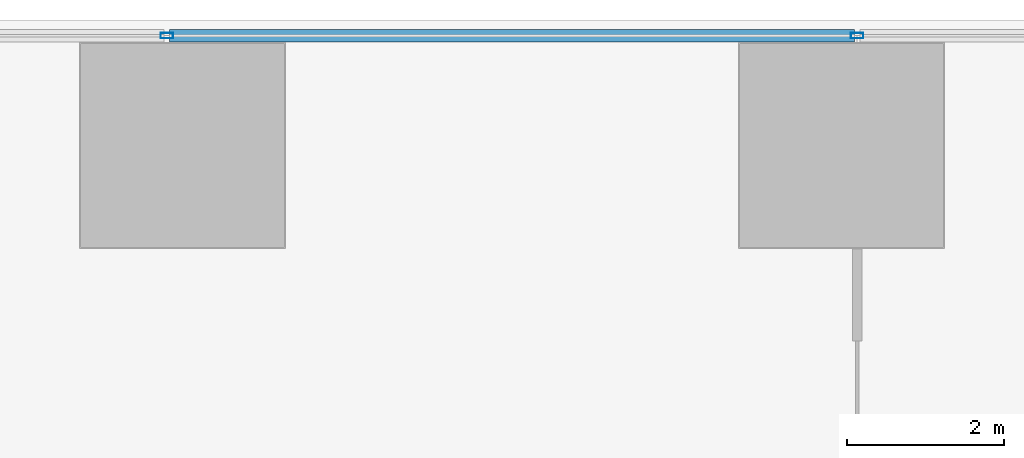
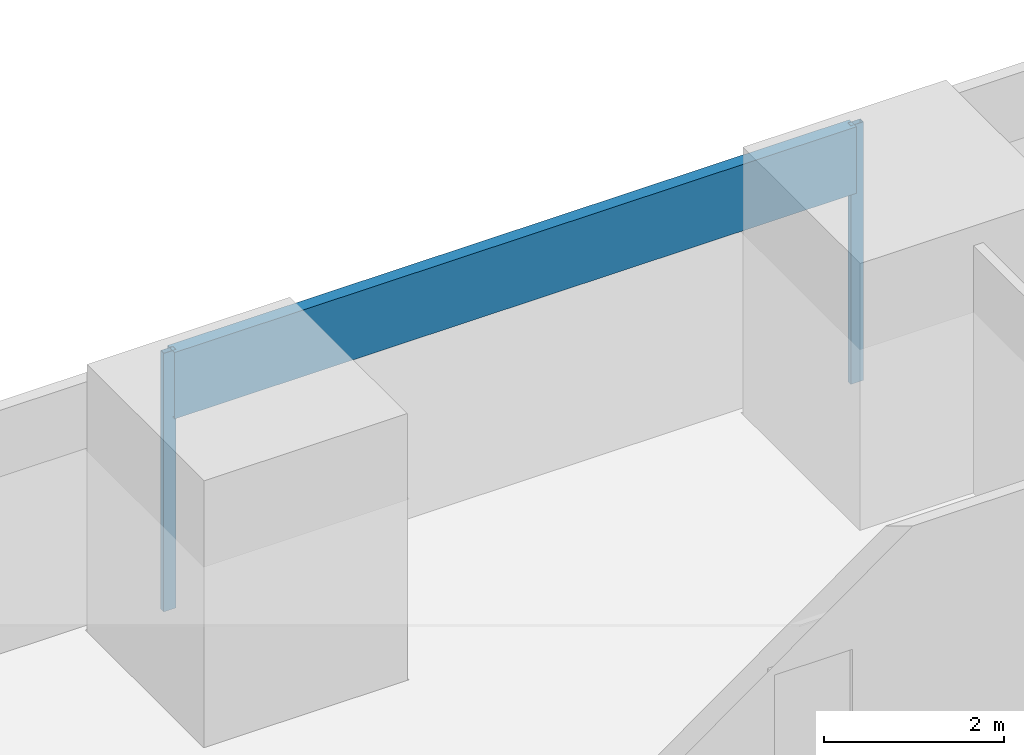
# One storey, part 11 of 35: 3 members, 1 element without a shape of its own.
"""IFC4 building model written with IfcOpenShell, lengths in metres."""

from ifc_helpers import new_model, si_unit, direction, frame, origin, origin_2d, place, context, subcontext, project, spatial, hollow_rectangle, extrude, material, material_profile, profile_set, type_object, element, aggregate, save


model = new_model("IFC4")

# Units and contexts
model_context = context("Model", 3, precision=1e-05, world=origin(), true_north=direction((0.0, 1.0)))
body_context = subcontext(model_context, "Body", "Model", "MODEL_VIEW")
ifc_project = project(units=[si_unit("LENGTHUNIT", "METRE"), si_unit("AREAUNIT", "SQUARE_METRE"), si_unit("VOLUMEUNIT", "CUBIC_METRE"), si_unit("PLANEANGLEUNIT", "RADIAN"), si_unit("MASSUNIT", "GRAM", prefix="KILO")], contexts=[model_context])

# Site, building, storey
site_placement = place(None, origin())
site = spatial("IfcSite", under=ifc_project, at=site_placement, CompositionType="ELEMENT")
building_placement = place(site_placement, origin())
building = spatial("IfcBuilding", under=site, at=building_placement, Name="Rekha Terrace Tower", CompositionType="ELEMENT")
storey_placement = place(building_placement, frame((0.0, 0.0, 25.39990234375)))
storey = spatial("IfcBuildingStorey", under=building, at=storey_placement, Name="L05", CompositionType="ELEMENT", Elevation=25.39990234375)

# Curtain wall, members
ifc_material_1 = material(Name="Aluminium framing", Category="aluminium")
curtain_wall_type = type_object("IfcCurtainWallType", Name="CW3 north unitised glazing", PredefinedType="USERDEFINED", material=ifc_material_1)
curtain_wall_placement = place(storey_placement, origin())
curtain_wall = element("IfcCurtainWall", 1, at=curtain_wall_placement, inside=storey, type_object=curtain_wall_type, Name="CW3 unitised curtain wall", ObjectType="UNITISED CURTAIN WALL", PredefinedType="USERDEFINED")
ifc_material_2 = material(Name="Aluminium mullion section", Category="aluminium")
ifc_material_profile_1 = material_profile(ifc_material_2, hollow_rectangle(XDim=0.070068359375, YDim=0.159912109375, WallThickness=0.00390625, at=origin_2d()), Name="AL RHS 70x160")
ifc_profile_set_1 = profile_set([ifc_material_profile_1], Name="Aluminium mullion section")
member_type_1 = type_object("IfcMemberType", Name="CW3 mullion RHS 70 x 160", PredefinedType="MULLION", material=ifc_profile_set_1)
member_1_placement = place(storey_placement, frame((42.199951171875, 60.199951171875, 0.0), z_axis=(0.0, 0.0, 1.0), x_axis=(0.0, -1.0, 0.0)))
member_1 = element("IfcMember", 2, at=member_1_placement, type_object=member_type_1, Name="CW3 mullion 4", PredefinedType="MULLION", context=body_context, shape_type="SweptSolid", body=[
    extrude(hollow_rectangle(XDim=0.070068359375, YDim=0.159912109375, WallThickness=0.00390625, at=origin_2d()), origin(), (0.0, 0.0, 1.0), 3.5),
])
member_2_placement = place(storey_placement, frame((33.39990234375, 60.199951171875, 0.0), z_axis=(0.0, 0.0, 1.0), x_axis=(0.0, -1.0, 0.0)))
member_2 = element("IfcMember", 3, at=member_2_placement, type_object=member_type_1, Name="CW3 mullion 5", PredefinedType="MULLION", context=body_context, shape_type="SweptSolid", body=[
    extrude(hollow_rectangle(XDim=0.070068359375, YDim=0.159912109375, WallThickness=0.00390625, at=origin_2d()), origin(), (0.0, 0.0, 1.0), 3.5),
])
ifc_material_3 = material(Name="Insulated aluminium spandrel box", Category="aluminium")
ifc_material_profile_2 = material_profile(ifc_material_3, hollow_rectangle(XDim=0.159912109375, YDim=0.89990234375, WallThickness=0.0029296875, at=origin_2d()), Name="AL SPANDREL BOX 160x900")
ifc_profile_set_2 = profile_set([ifc_material_profile_2], Name="Insulated aluminium spandrel box")
member_type_2 = type_object("IfcMemberType", Name="CW3 spandrel transom 160 x 900", PredefinedType="USERDEFINED", material=ifc_profile_set_2)
member_3_placement = place(storey_placement, frame((42.1650390625, 60.199951171875, 3.050048828125), z_axis=(-1.0, 0.0, 0.0), x_axis=(0.0, -1.0, 0.0)))
member_3 = element("IfcMember", 4, at=member_3_placement, type_object=member_type_2, Name="CW3 spandrel transom 4", ObjectType="TRANSOM", PredefinedType="USERDEFINED", context=body_context, shape_type="SweptSolid", body=[
    extrude(hollow_rectangle(XDim=0.159912109375, YDim=0.89990234375, WallThickness=0.0029296875, at=origin_2d()), origin(), (0.0, 0.0, 1.0), 8.72998046875),
])
aggregate(curtain_wall, [member_1, member_2, member_3])

save(model, "model.ifc")
